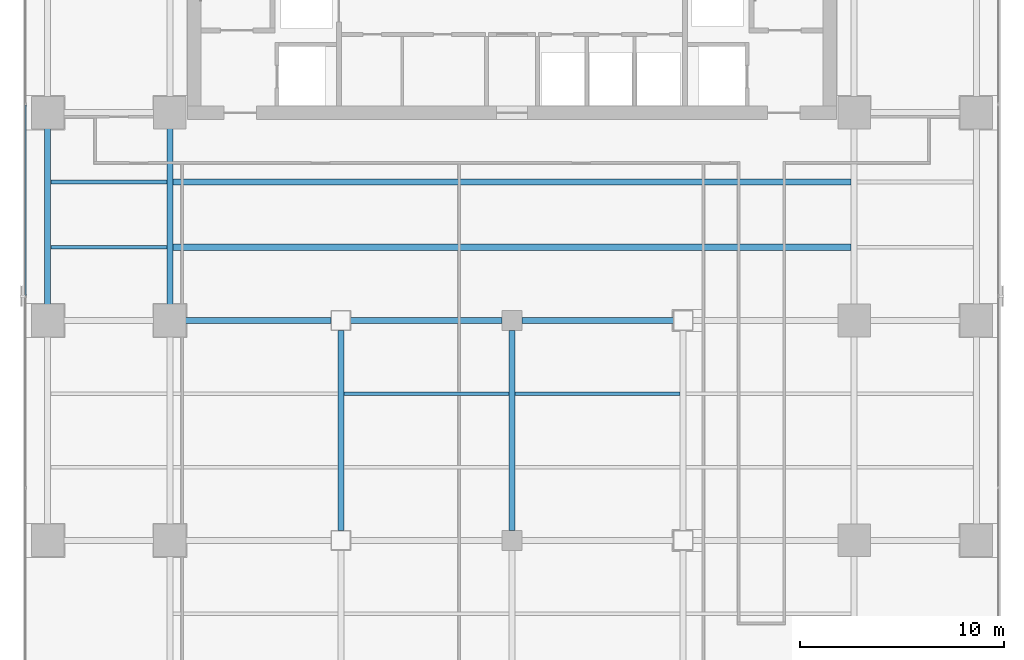
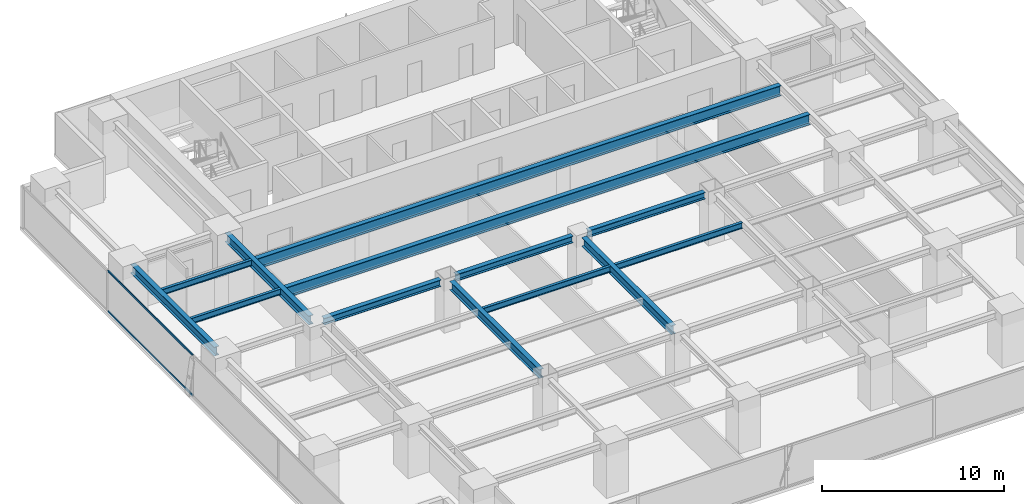
# One storey, part 8 of 27: 13 beams, 2 members, 1 element without a shape of its own.
"""IFC4 building model written with IfcOpenShell, lengths in metres."""

import ifcopenshell
import ifcopenshell.guid

model = None  # the IFC model being written
_history = None  # IfcOwnerHistory: only IFC2X3 demands one
_inside = {}  # id of a spatial element -> (the spatial element, [elements in it])
_under = {}  # id of a project, library or spatial element -> (it, [spatial elements below it])
_declared = {}  # id of a project -> (the project, [libraries it declares])
_typed = {}  # id of a type object -> (the type object, [elements of that type])
_made_of = {}  # id of a material, layer set ... -> (it, [elements and type objects made of it])


def new_model(schema):
    """Start an empty IFC model of exactly this schema.

    Asked for "IFC4X3", IfcOpenShell would pick the latest addendum, in which some entities
    have other attributes; the version numbers below select the first issue.
    IFC2X3 requires an IfcOwnerHistory on every rooted entity: one is made here for all.
    """
    global model, _history
    if schema == "IFC4X3":
        model = ifcopenshell.file(schema_version=(4, 3, 0, 0))
    else:
        model = ifcopenshell.file(schema=schema)
    _inside.clear()
    _under.clear()
    _declared.clear()
    _typed.clear()
    _made_of.clear()
    _history = None
    if model.schema == "IFC2X3":
        org = make("IfcOrganization", Name="unknown")
        user = make(
            "IfcPersonAndOrganization",
            ThePerson=make("IfcPerson", FamilyName="unknown"),
            TheOrganization=org,
        )
        app = make(
            "IfcApplication",
            ApplicationDeveloper=org,
            Version="unknown",
            ApplicationFullName="unknown",
            ApplicationIdentifier="unknown",
        )
        _history = make(
            "IfcOwnerHistory",
            OwningUser=user,
            OwningApplication=app,
            ChangeAction="ADDED",
            CreationDate=0,
        )
    return model


def make(cls, **values):
    """One entity of the class cls with the attributes given. An attribute that is None is left unset."""
    return model.create_entity(
        cls, **{name: value for name, value in values.items() if value is not None}
    )


def rooted(cls, **values):
    """An entity with a GlobalId (a new one), such as an element, a storey or a relation."""
    return make(cls, GlobalId=ifcopenshell.guid.new(), OwnerHistory=_history, **values)


def si_unit(unit_type, name, prefix=None):
    """IfcSIUnit, for example si_unit("LENGTHUNIT", "METRE", prefix="MILLI")."""
    return make("IfcSIUnit", UnitType=unit_type, Prefix=prefix, Name=name)


def assignment(units):
    """IfcUnitAssignment: the units of a project."""
    return None if units is None else make("IfcUnitAssignment", Units=units)


def point(xyz):
    """IfcCartesianPoint."""
    return None if xyz is None else make("IfcCartesianPoint", Coordinates=xyz)


def direction(xyz):
    """IfcDirection."""
    return None if xyz is None else make("IfcDirection", DirectionRatios=xyz)


def frame(location, z_axis=None, x_axis=None):
    """IfcAxis2Placement3D, a coordinate frame: its origin and axes. An axis left out is left unset."""
    return make(
        "IfcAxis2Placement3D",
        Location=point(location),
        Axis=direction(z_axis),
        RefDirection=direction(x_axis),
    )


def frame_2d(location, x_axis=None):
    """IfcAxis2Placement2D, a coordinate frame in the plane: its origin and x axis."""
    return make(
        "IfcAxis2Placement2D", Location=point(location), RefDirection=direction(x_axis)
    )


def origin():
    """The frame at (0, 0, 0) with its axes left unset."""
    return frame((0.0, 0.0, 0.0))


def origin_2d():
    """The frame at (0, 0) in the plane with its x axis left unset."""
    return frame_2d((0.0, 0.0))


def place(relative_to, where):
    """IfcLocalPlacement: puts the frame where relative to a parent placement (None: the world)."""
    return make(
        "IfcLocalPlacement", PlacementRelTo=relative_to, RelativePlacement=where
    )


def context(
    kind, dimensions, precision=None, world=None, true_north=None, identifier=None
):
    """IfcGeometricRepresentationContext, for example the 3D "Model" context."""
    return make(
        "IfcGeometricRepresentationContext",
        ContextIdentifier=identifier,
        ContextType=kind,
        CoordinateSpaceDimension=dimensions,
        Precision=precision,
        WorldCoordinateSystem=world,
        TrueNorth=true_north,
    )


def subcontext(parent, identifier, kind, view, scale=None):
    """IfcGeometricRepresentationSubContext, for example "Body" below "Model"."""
    return make(
        "IfcGeometricRepresentationSubContext",
        ContextIdentifier=identifier,
        ContextType=kind,
        ParentContext=parent,
        TargetScale=scale,
        TargetView=view,
    )


def project(units=None, contexts=None):
    """IfcProject with its units and contexts."""
    return rooted(
        "IfcProject",
        Name="project",
        RepresentationContexts=contexts,
        UnitsInContext=assignment(units),
    )


def spatial(cls, under=None, at=None, **own):
    """A site, building, storey or space (cls), placed at a placement, below another one or the project."""
    s = rooted(cls, ObjectPlacement=at, **own)
    if under is not None:
        _under.setdefault(under.id(), (under, []))[1].append(s)
    return s


def profile(cls, at=None, kind="AREA", **sizes):
    """A parametric profile (cls). Its sizes go by their IFC names, for example OverallWidth=200.0."""
    return make(cls, ProfileType=kind, Position=at, **sizes)


def hollow_rectangle(**sizes):
    """IfcRectangleHollowProfileDef."""
    return profile("IfcRectangleHollowProfileDef", **sizes)


def i_section(**sizes):
    """IfcIShapeProfileDef."""
    return profile("IfcIShapeProfileDef", **sizes)


def extrude(swept, where, along, depth):
    """IfcExtrudedAreaSolid: the profile swept, set in the frame where, extruded along a direction by depth."""
    return make(
        "IfcExtrudedAreaSolid",
        SweptArea=swept,
        Position=where,
        ExtrudedDirection=direction(along),
        Depth=depth,
    )


def shape(context_of_items, identifier, shape_type, items):
    """IfcShapeRepresentation: the items that make up one representation, for example the "Body"."""
    return make(
        "IfcShapeRepresentation",
        ContextOfItems=context_of_items,
        RepresentationIdentifier=identifier,
        RepresentationType=shape_type,
        Items=items,
    )


def source(mapping_origin, context_of_items, identifier, shape_type, items):
    """IfcRepresentationMap: a shape defined once, which mapped items show again and again."""
    return make(
        "IfcRepresentationMap",
        MappingOrigin=mapping_origin,
        MappedRepresentation=shape(context_of_items, identifier, shape_type, items),
    )


def transform(
    local_origin,
    x_axis=None,
    y_axis=None,
    z_axis=None,
    scale=None,
    scale2=None,
    scale3=None,
    uniform=True,
):
    """IfcCartesianTransformationOperator3D, or its non-uniform kind. x_axis, y_axis, z_axis: its Axis1, 2, 3."""
    if uniform:
        return make(
            "IfcCartesianTransformationOperator3D",
            Axis1=direction(x_axis),
            Axis2=direction(y_axis),
            LocalOrigin=point(local_origin),
            Scale=scale,
            Axis3=direction(z_axis),
        )
    return make(
        "IfcCartesianTransformationOperator3DnonUniform",
        Axis1=direction(x_axis),
        Axis2=direction(y_axis),
        LocalOrigin=point(local_origin),
        Scale=scale,
        Axis3=direction(z_axis),
        Scale2=scale2,
        Scale3=scale3,
    )


def mapped(mapping_source, mapping_target):
    """IfcMappedItem: shows the shape of a source again, moved by a transform."""
    return make(
        "IfcMappedItem", MappingSource=mapping_source, MappingTarget=mapping_target
    )


def material(Name=None, Category=None):
    """IfcMaterial."""
    return make("IfcMaterial", Name=Name, Category=Category)


def layer(
    of_material, thickness, ventilated=None, Name=None, Category=None, Priority=None
):
    """IfcMaterialLayer: one layer of a wall or slab, of a material (None: an air gap)."""
    return make(
        "IfcMaterialLayer",
        Material=of_material,
        LayerThickness=thickness,
        IsVentilated=ventilated,
        Name=Name,
        Category=Category,
        Priority=Priority,
    )


def layer_set(layers, Name=None):
    """IfcMaterialLayerSet."""
    return make("IfcMaterialLayerSet", MaterialLayers=layers, LayerSetName=Name)


def material_profile(
    of_material, cross_section, Name=None, Category=None, Priority=None
):
    """IfcMaterialProfile: a cross section and its material."""
    return make(
        "IfcMaterialProfile",
        Name=Name,
        Material=of_material,
        Profile=cross_section,
        Priority=Priority,
        Category=Category,
    )


def profile_set(profiles, Name=None, composite=None):
    """IfcMaterialProfileSet."""
    return make(
        "IfcMaterialProfileSet",
        Name=Name,
        MaterialProfiles=profiles,
        CompositeProfile=composite,
    )


def made_of(thing, what):
    """Note that an element or type object is made of a material, layer set ...; save() writes the relation."""
    if what is not None:
        _made_of.setdefault(what.id(), (what, []))[1].append(thing)
    return thing


def type_object(cls, material=None, **own):
    """A type object (cls), such as IfcWallType, which elements share."""
    return made_of(rooted(cls, **own), material)


def element(
    cls,
    number,
    at=None,
    inside=None,
    cuts=None,
    type_object=None,
    material=None,
    context=None,
    identifier="Body",
    shape_type=None,
    held_by="IfcProductDefinitionShape",
    body=None,
    shapes=None,
    **own,
):
    """One element of the class cls, such as IfcWall. Its Tag is "e" and its number.

    at: its placement. inside: the storey or other place that contains it. cuts: it is an
    opening in that element (IfcRelVoidsElement). A single representation is given by context,
    identifier, shape_type and body (its items); several are given by shapes. held_by: the class
    of the entity that holds the representations. save() writes the other relations.
    """
    e = rooted(cls, Tag="e%d" % number, ObjectPlacement=at, **own)
    if body is not None:
        shapes = [shape(context, identifier, shape_type, body)]
    if shapes is not None:
        e.Representation = make(held_by, Representations=shapes)
    if inside is not None:
        _inside.setdefault(inside.id(), (inside, []))[1].append(e)
    if cuts is not None:
        rooted(
            "IfcRelVoidsElement", RelatingBuildingElement=cuts, RelatedOpeningElement=e
        )
    if type_object is not None:
        _typed.setdefault(type_object.id(), (type_object, []))[1].append(e)
    return made_of(e, material)


def aggregate(whole, parts):
    """IfcRelAggregates: a whole, such as a stair, and the parts it consists of."""
    return rooted("IfcRelAggregates", RelatingObject=whole, RelatedObjects=parts)


def save(model, path):
    """Write the relations noted so far, then the file.

    IfcRelAggregates (storeys below a building ...), IfcRelContainedInSpatialStructure (elements
    in a storey), IfcRelDefinesByType, IfcRelAssociatesMaterial and IfcRelDeclares: one each for
    every whole, place, type object, material and project.
    """
    for whole, parts in _under.values():
        aggregate(whole, parts)
    for where, things in _inside.values():
        rooted(
            "IfcRelContainedInSpatialStructure",
            RelatedElements=things,
            RelatingStructure=where,
        )
    for kind, things in _typed.values():
        rooted("IfcRelDefinesByType", RelatedObjects=things, RelatingType=kind)
    for what, things in _made_of.values():
        rooted("IfcRelAssociatesMaterial", RelatedObjects=things, RelatingMaterial=what)
    for by, libraries in _declared.values():
        rooted("IfcRelDeclares", RelatingContext=by, RelatedDefinitions=libraries)
    model.write(path)


model = new_model("IFC4")

# Units and contexts
model_context = context("Model", 3, precision=1e-05, world=origin(), true_north=direction((0.0, 1.0)))
body_context = subcontext(model_context, "Body", "Model", "MODEL_VIEW")
ifc_project = project(units=[si_unit("LENGTHUNIT", "METRE"), si_unit("AREAUNIT", "SQUARE_METRE"), si_unit("VOLUMEUNIT", "CUBIC_METRE"), si_unit("PLANEANGLEUNIT", "RADIAN"), si_unit("MASSUNIT", "GRAM", prefix="KILO")], contexts=[model_context])

# Site, building, storey
site_placement = place(None, origin())
site = spatial("IfcSite", under=ifc_project, at=site_placement, CompositionType="ELEMENT")
building_placement = place(site_placement, origin())
building = spatial("IfcBuilding", under=site, at=building_placement, Name="Sumidabori Civic Tower", CompositionType="ELEMENT")
storey_placement = place(building_placement, frame((0.0, 0.0, 142.39990234375)))
storey = spatial("IfcBuildingStorey", under=building, at=storey_placement, Name="L36", CompositionType="ELEMENT", Elevation=142.39990234375)

# Beams
ifc_material_1 = material(Name="Steel SN490", Category="steel")
ifc_material_profile_1 = material_profile(ifc_material_1, i_section(OverallWidth=0.300048828125, OverallDepth=0.60009765625, WebThickness=0.015380859375, FlangeThickness=0.030029296875, at=origin_2d()), Name="HE 600 B")
ifc_profile_set_1 = profile_set([ifc_material_profile_1], Name="Steel SN490")
beam_type_1 = type_object("IfcBeamType", Name="BM-GIRD-600", PredefinedType="BEAM", material=ifc_profile_set_1)
shared_shape_1 = source(origin(), body_context, "Body", "SweptSolid", [
    extrude(i_section(OverallWidth=0.300048828125, OverallDepth=0.60009765625, WebThickness=0.015380859375, FlangeThickness=0.030029296875, at=origin_2d()), origin(), (0.0, 0.0, 1.0), 9.840087890625),
])
for number, where, z_axis, x_axis, name in (
    (1, (-8.39990234375, -10.320068359375, 3.080078125), (0.0, 1.0, 0.0), (-1.0, 0.0, 0.0), "Primary Girder L36 GY-27"),
    (2, (0.0, -10.320068359375, 3.080078125), (0.0, 1.0, 0.0), (-1.0, 0.0, 0.0), "Primary Girder L36 GY-29"),
):
    element("IfcBeam", number, at=place(storey_placement, frame(where, z_axis=z_axis, x_axis=x_axis)), inside=storey, type_object=beam_type_1, Name=name, PredefinedType="BEAM", context=body_context, shape_type="MappedRepresentation", body=[
        mapped(shared_shape_1, transform((0.0, 0.0, 0.0), x_axis=(1.0, 0.0, 0.0), y_axis=(0.0, 1.0, 0.0), z_axis=(0.0, 0.0, 1.0), scale=1.0)),
    ])
shared_shape_2 = source(origin(), body_context, "Body", "SweptSolid", [
    extrude(i_section(OverallWidth=0.300048828125, OverallDepth=0.60009765625, WebThickness=0.015380859375, FlangeThickness=0.030029296875, at=origin_2d()), origin(), (0.0, 0.0, 1.0), 9.239990234375),
])
for number, where, z_axis, x_axis, name in (
    (3, (-22.800048828125, 0.47998046875, 3.080078125), (0.0, 1.0, 0.0), (-1.0, 0.0, 0.0), "Primary Girder L36 GY-20"),
    (4, (-16.800048828125, 0.47998046875, 3.080078125), (0.0, 1.0, 0.0), (-1.0, 0.0, 0.0), "Primary Girder L36 GY-24"),
):
    element("IfcBeam", number, at=place(storey_placement, frame(where, z_axis=z_axis, x_axis=x_axis)), inside=storey, type_object=beam_type_1, Name=name, PredefinedType="BEAM", context=body_context, shape_type="MappedRepresentation", body=[
        mapped(shared_shape_2, transform((0.0, 0.0, 0.0), x_axis=(1.0, 0.0, 0.0), y_axis=(0.0, 1.0, 0.0), z_axis=(0.0, 0.0, 1.0), scale=1.0)),
    ])
ifc_material_profile_2 = material_profile(ifc_material_1, i_section(OverallWidth=0.300048828125, OverallDepth=0.699951171875, WebThickness=0.01708984375, FlangeThickness=0.031982421875, at=origin_2d()), Name="HE 700 B")
ifc_profile_set_2 = profile_set([ifc_material_profile_2], Name="Steel SN490")
beam_type_2 = type_object("IfcBeamType", Name="BM-GIRD-700", PredefinedType="BEAM", material=ifc_profile_set_2)
shared_shape_3 = source(origin(), body_context, "Body", "SweptSolid", [
    extrude(i_section(OverallWidth=0.300048828125, OverallDepth=0.699951171875, WebThickness=0.01708984375, FlangeThickness=0.031982421875, at=origin_2d()), origin(), (0.0, 0.0, 1.0), 33.2998046875),
])
for number, where, z_axis, x_axis, name in (
    (5, (-16.64990234375, 3.60009765625, 3.030029296875), (1.0, 0.0, 0.0), (0.0, 1.0, 0.0), "North Bay Floor Beam L36 JSTN-47"),
    (6, (-16.64990234375, 6.800048828125, 3.030029296875), (1.0, 0.0, 0.0), (0.0, 1.0, 0.0), "North Bay Floor Beam L36 JSTN-48"),
):
    element("IfcBeam", number, at=place(storey_placement, frame(where, z_axis=z_axis, x_axis=x_axis)), inside=storey, type_object=beam_type_2, Name=name, PredefinedType="BEAM", context=body_context, shape_type="MappedRepresentation", body=[
        mapped(shared_shape_3, transform((0.0, 0.0, 0.0), x_axis=(1.0, 0.0, 0.0), y_axis=(0.0, 1.0, 0.0), z_axis=(0.0, 0.0, 1.0), scale=1.0)),
    ])
ifc_material_profile_3 = material_profile(ifc_material_1, i_section(OverallWidth=0.179931640625, OverallDepth=0.39990234375, WebThickness=0.008544921875, FlangeThickness=0.013427734375, at=origin_2d()), Name="IPE 400")
ifc_profile_set_3 = profile_set([ifc_material_profile_3], Name="Steel SN490")
beam_type_3 = type_object("IfcBeamType", Name="BM-JST-400", PredefinedType="JOIST", material=ifc_profile_set_3)
shared_shape_4 = source(origin(), body_context, "Body", "SweptSolid", [
    extrude(i_section(OverallWidth=0.179931640625, OverallDepth=0.39990234375, WebThickness=0.008544921875, FlangeThickness=0.013427734375, at=origin_2d()), origin(), (0.0, 0.0, 1.0), 5.699951171875),
])
for number, where, z_axis, x_axis, name in (
    (7, (-22.64990234375, 3.60009765625, 3.18017578125), (1.0, 0.0, 0.0), (0.0, 1.0, 0.0), "Outer Bay Floor Joist L36 JSTO-43"),
    (8, (-22.64990234375, 6.800048828125, 3.18017578125), (1.0, 0.0, 0.0), (0.0, 1.0, 0.0), "Outer Bay Floor Joist L36 JSTO-45"),
):
    element("IfcBeam", number, at=place(storey_placement, frame(where, z_axis=z_axis, x_axis=x_axis)), inside=storey, type_object=beam_type_3, Name=name, PredefinedType="JOIST", context=body_context, shape_type="MappedRepresentation", body=[
        mapped(shared_shape_4, transform((0.0, 0.0, 0.0), x_axis=(1.0, 0.0, 0.0), y_axis=(0.0, 1.0, 0.0), z_axis=(0.0, 0.0, 1.0), scale=1.0)),
    ])
shared_shape_5 = source(origin(), body_context, "Body", "SweptSolid", [
    extrude(i_section(OverallWidth=0.179931640625, OverallDepth=0.39990234375, WebThickness=0.008544921875, FlangeThickness=0.013427734375, at=origin_2d()), origin(), (0.0, 0.0, 1.0), 8.10009765625),
])
for number, where, z_axis, x_axis, name in (
    (9, (-8.25, -3.60009765625, 3.18017578125), (1.0, 0.0, 0.0), (0.0, 1.0, 0.0), "South Bay Floor Joist L36 JSTS-58"),
    (10, (0.14990234375, -3.60009765625, 3.18017578125), (1.0, 0.0, 0.0), (0.0, 1.0, 0.0), "South Bay Floor Joist L36 JSTS-59"),
):
    element("IfcBeam", number, at=place(storey_placement, frame(where, z_axis=z_axis, x_axis=x_axis)), inside=storey, type_object=beam_type_3, Name=name, PredefinedType="JOIST", context=body_context, shape_type="MappedRepresentation", body=[
        mapped(shared_shape_5, transform((0.0, 0.0, 0.0), x_axis=(1.0, 0.0, 0.0), y_axis=(0.0, 1.0, 0.0), z_axis=(0.0, 0.0, 1.0), scale=1.0)),
    ])
ifc_material_profile_4 = material_profile(ifc_material_1, i_section(OverallWidth=0.300048828125, OverallDepth=0.449951171875, WebThickness=0.013916015625, FlangeThickness=0.02587890625, at=origin_2d()), Name="HE 450 B")
ifc_profile_set_4 = profile_set([ifc_material_profile_4], Name="Steel SN490")
beam_type_4 = type_object("IfcBeamType", Name="BM-GIRD-450", PredefinedType="BEAM", material=ifc_profile_set_4)
shared_shape_6 = source(origin(), body_context, "Body", "SweptSolid", [
    extrude(i_section(OverallWidth=0.300048828125, OverallDepth=0.449951171875, WebThickness=0.013916015625, FlangeThickness=0.02587890625, at=origin_2d()), origin(), (0.0, 0.0, 1.0), 7.440185546875),
])
beam_placement = place(storey_placement, frame((-16.320068359375, 0.0, 3.155029296875), z_axis=(1.0, 0.0, 0.0), x_axis=(0.0, 1.0, 0.0)))
element("IfcBeam", 11, at=beam_placement, inside=storey, type_object=beam_type_4, Name="Primary Girder L36 GX-12", PredefinedType="BEAM", context=body_context, shape_type="MappedRepresentation", body=[
    mapped(shared_shape_6, transform((0.0, 0.0, 0.0), x_axis=(1.0, 0.0, 0.0), y_axis=(0.0, 1.0, 0.0), z_axis=(0.0, 0.0, 1.0), scale=1.0)),
])
shared_shape_7 = source(origin(), body_context, "Body", "SweptSolid", [
    extrude(i_section(OverallWidth=0.300048828125, OverallDepth=0.449951171875, WebThickness=0.013916015625, FlangeThickness=0.02587890625, at=origin_2d()), origin(), (0.0, 0.0, 1.0), 7.43994140625),
])
for number, where, z_axis, x_axis, name in (
    (12, (-7.919921875, 0.0, 3.155029296875), (1.0, 0.0, 0.0), (0.0, 1.0, 0.0), "Primary Girder L36 GX-13"),
    (13, (0.47998046875, 0.0, 3.155029296875), (1.0, 0.0, 0.0), (0.0, 1.0, 0.0), "Primary Girder L36 GX-14"),
):
    element("IfcBeam", number, at=place(storey_placement, frame(where, z_axis=z_axis, x_axis=x_axis)), inside=storey, type_object=beam_type_4, Name=name, PredefinedType="BEAM", context=body_context, shape_type="MappedRepresentation", body=[
        mapped(shared_shape_7, transform((0.0, 0.0, 0.0), x_axis=(1.0, 0.0, 0.0), y_axis=(0.0, 1.0, 0.0), z_axis=(0.0, 0.0, 1.0), scale=1.0)),
    ])

# Curtain wall, members
ifc_material_2 = material(Name="Anodised Bronze Aluminium AW-6063-T6", Category="aluminium")
ifc_layer = layer(ifc_material_2, 0.179931640625, Name="Anodised Bronze Aluminium AW-6063-T6")
ifc_layer_set = layer_set([ifc_layer], Name="Anodised Bronze Aluminium AW-6063-T6")
curtain_wall_type = type_object("IfcCurtainWallType", Name="CW-SYS-3", PredefinedType="NOTDEFINED", material=ifc_layer_set)
curtain_wall_placement = place(storey_placement, origin())
curtain_wall = element("IfcCurtainWall", 14, at=curtain_wall_placement, inside=storey, type_object=curtain_wall_type, Name="Curtain Wall CW:L36:R10", PredefinedType="NOTDEFINED")
ifc_material_profile_5 = material_profile(ifc_material_2, hollow_rectangle(XDim=0.06005859375, YDim=0.1298828125, WallThickness=0.0048828125, at=origin_2d()), Name="ALU TRANSOM 130x60")
ifc_profile_set_5 = profile_set([ifc_material_profile_5], Name="Anodised Bronze Aluminium AW-6063-T6")
member_type = type_object("IfcMemberType", Name="CW-TRN-130", PredefinedType="USERDEFINED", material=ifc_profile_set_5)
shared_shape_8 = source(origin(), body_context, "Body", "SweptSolid", [
    extrude(hollow_rectangle(XDim=0.06005859375, YDim=0.1298828125, WallThickness=0.0048828125, at=origin_2d()), origin(), (0.0, 0.0, 1.0), 9.344970703125),
])
member_1_placement = place(storey_placement, frame((-23.8798828125, 10.577392578125, 0.030029296875), z_axis=(0.0, -1.0, 0.0), x_axis=(1.0, 0.0, 0.0)))
member_1 = element("IfcMember", 15, at=member_1_placement, type_object=member_type, Name="CW-3 transom 2.1", ObjectType="TRANSOM", PredefinedType="USERDEFINED", context=body_context, shape_type="MappedRepresentation", body=[
    mapped(shared_shape_8, transform((0.0, 0.0, 0.0), x_axis=(1.0, 0.0, 0.0), y_axis=(0.0, 1.0, 0.0), z_axis=(0.0, 0.0, 1.0), scale=1.0)),
])
member_2_placement = place(storey_placement, frame((-23.8798828125, 10.577392578125, 2.72998046875), z_axis=(0.0, -1.0, 0.0), x_axis=(1.0, 0.0, 0.0)))
member_2 = element("IfcMember", 16, at=member_2_placement, type_object=member_type, Name="CW-3 transom 2.2", ObjectType="TRANSOM", PredefinedType="USERDEFINED", context=body_context, shape_type="MappedRepresentation", body=[
    mapped(shared_shape_8, transform((0.0, 0.0, 0.0), x_axis=(1.0, 0.0, 0.0), y_axis=(0.0, 1.0, 0.0), z_axis=(0.0, 0.0, 1.0), scale=1.0)),
])
aggregate(curtain_wall, [member_1, member_2])

save(model, "model.ifc")
